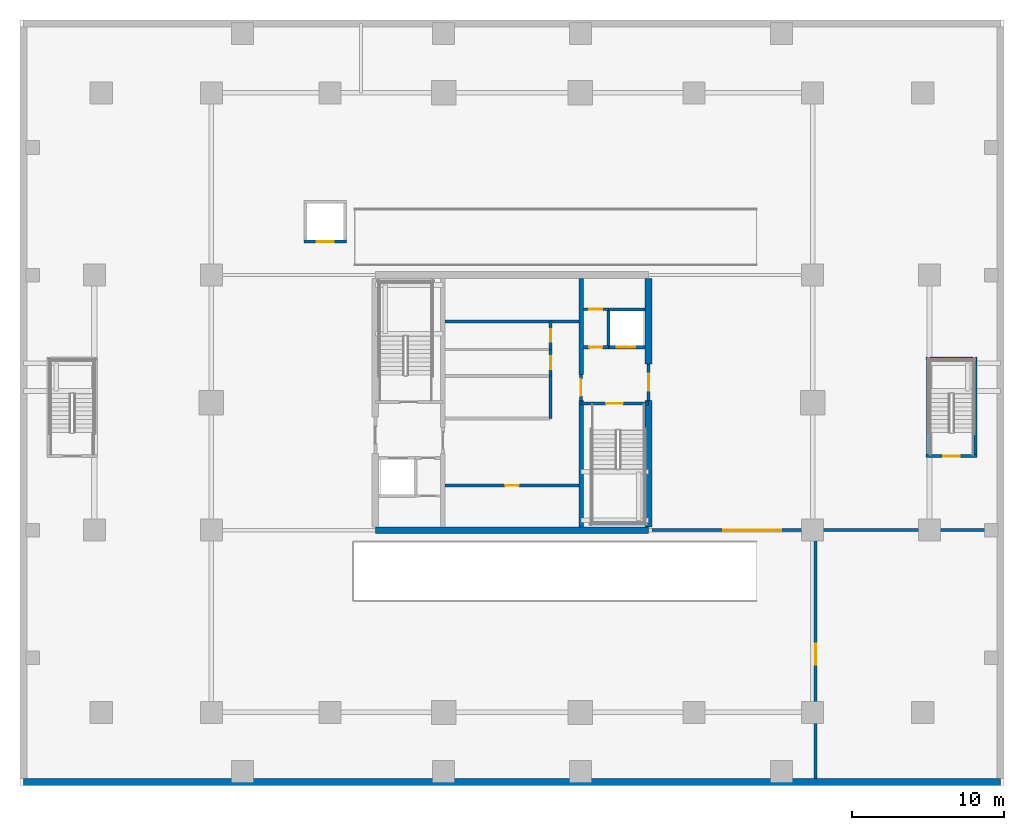
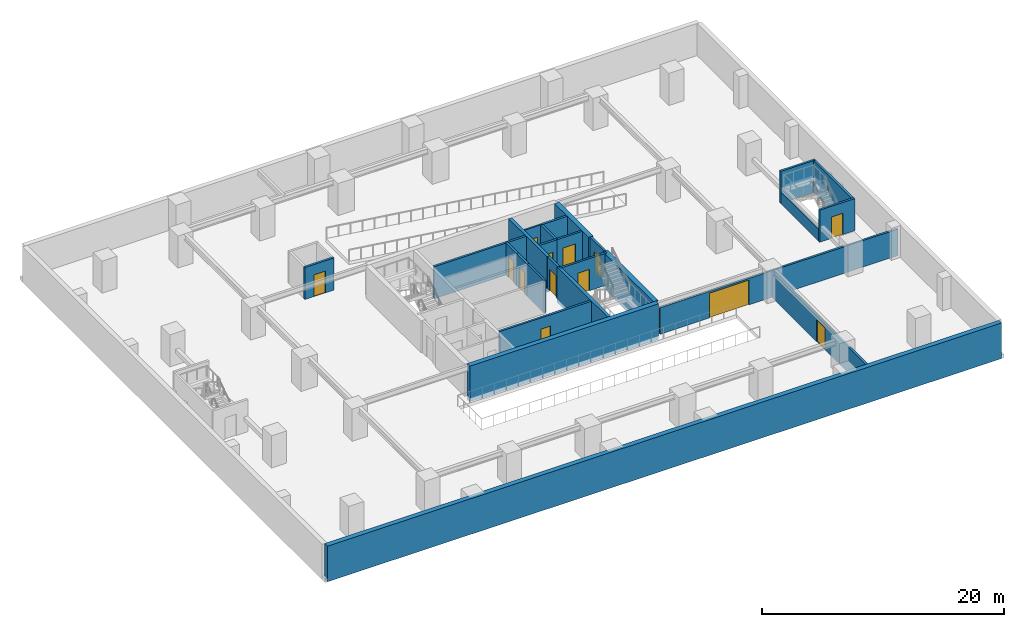
# One storey, part 3 of 10: 26 walls, 13 doors, 13 openings.
"""IFC4 building model written with IfcOpenShell, lengths in metres."""

from ifc_helpers import new_model, si_unit, direction, frame, frame_2d, origin, place, context, subcontext, project, spatial, rectangle, extrude, source, transform, mapped, material, layer, layer_set, type_object, element, fill, save


model = new_model("IFC4")

# Units and contexts
model_context = context("Model", 3, precision=1e-05, world=origin(), true_north=direction((0.0, 1.0)))
body_context = subcontext(model_context, "Body", "Model", "MODEL_VIEW")
ifc_project = project(units=[si_unit("LENGTHUNIT", "METRE"), si_unit("AREAUNIT", "SQUARE_METRE"), si_unit("VOLUMEUNIT", "CUBIC_METRE"), si_unit("PLANEANGLEUNIT", "RADIAN"), si_unit("MASSUNIT", "GRAM", prefix="KILO")], contexts=[model_context])

# Site, building, storey
site_placement = place(None, origin())
site = spatial("IfcSite", under=ifc_project, at=site_placement, CompositionType="ELEMENT")
building_placement = place(site_placement, origin())
building = spatial("IfcBuilding", under=site, at=building_placement, Name="Serunith Strait Residences", CompositionType="ELEMENT")
storey_placement = place(building_placement, frame((0.0, 0.0, -7.199951171875)))
storey = spatial("IfcBuildingStorey", under=building, at=storey_placement, Name="B02", CompositionType="ELEMENT", Elevation=-7.199951171875)

# Wall, opening, door
ifc_material_1 = material(Name="Fire-rated masonry service closet wall", Category="masonry")
ifc_layer_1 = layer(ifc_material_1, 0.14990234375, Name="Fire-rated masonry service closet wall")
ifc_layer_set_1 = layer_set([ifc_layer_1], Name="Fire-rated masonry service closet wall")
wall_type_1 = type_object("IfcWallType", Name="IW-BOH-150", PredefinedType="PARTITIONING", material=ifc_layer_set_1)
wall_1_placement = place(storey_placement, frame((37.10009765625, 31.35009765625, 0.0), z_axis=(0.0, 0.0, 1.0), x_axis=(1.0, 0.0, 0.0)))
wall_1 = element("IfcWall", 1, at=wall_1_placement, inside=storey, type_object=wall_type_1, Name="B02 Partition Wall 017", PredefinedType="PARTITIONING", context=body_context, shape_type="SweptSolid", body=[
    extrude(rectangle(XDim=1.64794921875, YDim=0.14990234375, at=frame_2d((0.823974609375, 0.0))), origin(), (0.0, 0.0, 1.0), 3.239990234375),
])
opening_1_placement = place(wall_1_placement, frame((0.39892578125, 0.0, 0.0)))
opening_1 = element("IfcOpeningElement", 2, at=opening_1_placement, cuts=wall_1, Name="Opening FD-850", PredefinedType="OPENING", context=body_context, shape_type="SweptSolid", body=[
    extrude(rectangle(XDim=0.85009765625, YDim=2.10009765625, at=frame_2d((0.425048828125, 1.050048828125))), frame((0.0, 0.0849609375, 0.0), z_axis=(0.0, -1.0, 0.0), x_axis=(1.0, 0.0, 0.0)), (0.0, 0.0, 1.0), 0.169921875),
])
ifc_material_2 = material(Name="Powder-coated steel service closet door", Category="steel")
door_type_1 = type_object("IfcDoorType", Name="FD-BOH-850", OperationType="NOTDEFINED", PredefinedType="DOOR", material=ifc_material_2)
shared_shape_1 = source(origin(), body_context, "Body", "SweptSolid", [
    extrude(rectangle(XDim=0.85009765625, YDim=2.10009765625, at=frame_2d((0.425048828125, 1.050048828125))), frame((0.0, 0.02490234375, 0.0), z_axis=(0.0, -1.0, 0.0), x_axis=(1.0, 0.0, 0.0)), (0.0, 0.0, 1.0), 0.050048828125),
])
door_1_placement = place(opening_1_placement, origin())
door_1 = element("IfcDoor", 3, at=door_1_placement, inside=storey, type_object=door_type_1, Name="B02 Refuse Store Door", OperationType="SINGLE_SWING_RIGHT", OverallHeight=2.10009765625, OverallWidth=0.85009765625, PredefinedType="DOOR", context=body_context, shape_type="MappedRepresentation", body=[
    mapped(shared_shape_1, transform((0.0, 0.0, 0.0), scale=1.0)),
])
fill(opening_1, door_1)

ifc_material_3 = material(Name="Acoustic concrete block plant wall", Category="concrete")
ifc_layer_2 = layer(ifc_material_3, 0.199951171875, Name="Acoustic concrete block plant wall")
ifc_layer_set_2 = layer_set([ifc_layer_2], Name="Acoustic concrete block plant wall")
wall_type_2 = type_object("IfcWallType", Name="IW-PLANT-200", PredefinedType="STANDARD", material=ifc_layer_set_2)
wall_2_placement = place(storey_placement, frame((52.39990234375, 0.449951171875, 0.0), z_axis=(0.0, 0.0, 1.0), x_axis=(0.0, 1.0, 0.0)))
wall_2 = element("IfcWall", 4, at=wall_2_placement, inside=storey, type_object=wall_type_2, Name="B02 Partition Wall 021", PredefinedType="STANDARD", context=body_context, shape_type="SweptSolid", body=[
    extrude(rectangle(XDim=16.35009765625, YDim=0.199951171875, at=frame_2d((8.175048828125, 0.0))), origin(), (0.0, 0.0, 1.0), 2.6220703125),
])
opening_2_placement = place(wall_2_placement, frame((7.47509765625, 0.0, 0.0)))
opening_2 = element("IfcOpeningElement", 5, at=opening_2_placement, cuts=wall_2, Name="Opening FD-1400", PredefinedType="OPENING", context=body_context, shape_type="SweptSolid", body=[
    extrude(rectangle(XDim=1.39990234375, YDim=2.199951171875, at=frame_2d((0.699951171875, 1.10009765625))), frame((0.0, 0.10986328125, 0.0), z_axis=(0.0, -1.0, 0.0), x_axis=(1.0, 0.0, 0.0)), (0.0, 0.0, 1.0), 0.219970703125),
])
ifc_material_4 = material(Name="Acoustic double-skin steel plant door", Category="steel")
door_type_2 = type_object("IfcDoorType", Name="FD-PLANT-1400", OperationType="DOUBLE_DOOR_SINGLE_SWING", PredefinedType="DOOR", material=ifc_material_4)
shared_shape_2 = source(origin(), body_context, "Body", "SweptSolid", [
    extrude(rectangle(XDim=1.39990234375, YDim=2.199951171875, at=frame_2d((0.699951171875, 1.10009765625))), frame((0.0, 0.02490234375, 0.0), z_axis=(0.0, -1.0, 0.0), x_axis=(1.0, 0.0, 0.0)), (0.0, 0.0, 1.0), 0.050048828125),
])
door_2_placement = place(opening_2_placement, origin())
door_2 = element("IfcDoor", 6, at=door_2_placement, inside=storey, type_object=door_type_2, Name="B02 Basement Plant Fire Door", OperationType="DOUBLE_DOOR_SINGLE_SWING", OverallHeight=2.199951171875, OverallWidth=1.39990234375, PredefinedType="DOOR", context=body_context, shape_type="MappedRepresentation", body=[
    mapped(shared_shape_2, transform((0.0, 0.0, 0.0), scale=1.0)),
])
fill(opening_2, door_2)

wall_3_placement = place(storey_placement, frame((41.625, 16.800048828125, 0.0), z_axis=(0.0, 0.0, 1.0), x_axis=(1.0, 0.0, 0.0)))
wall_3 = element("IfcWall", 7, at=wall_3_placement, inside=storey, type_object=wall_type_2, Name="B02 Partition Wall 022", PredefinedType="STANDARD", context=body_context, shape_type="SweptSolid", body=[
    extrude(rectangle(XDim=22.72509765625, YDim=0.199951171875, at=frame_2d((11.362548828125, 0.0))), origin(), (0.0, 0.0, 1.0), 2.671875),
])
opening_3_placement = place(wall_3_placement, frame((4.697021484375, 0.0, 0.0)))
opening_3 = element("IfcOpeningElement", 8, at=opening_3_placement, cuts=wall_3, Name="Opening GT-3800", PredefinedType="OPENING", context=body_context, shape_type="SweptSolid", body=[
    extrude(rectangle(XDim=3.800048828125, YDim=2.5, at=frame_2d((1.89990234375, 1.25))), frame((0.0, 0.10986328125, 0.0), z_axis=(0.0, -1.0, 0.0), x_axis=(1.0, 0.0, 0.0)), (0.0, 0.0, 1.0), 0.219970703125),
])
ifc_material_5 = material(Name="Perforated galvanised steel roller shutter", Category="steel")
door_type_3 = type_object("IfcDoorType", Name="GATE-BSMT-3800", OperationType="ROLLINGUP", PredefinedType="GATE", material=ifc_material_5)
shared_shape_3 = source(origin(), body_context, "Body", "SweptSolid", [
    extrude(rectangle(XDim=3.800048828125, YDim=2.5, at=frame_2d((1.89990234375, 1.25))), frame((0.0, 0.02490234375, 0.0), z_axis=(0.0, -1.0, 0.0), x_axis=(1.0, 0.0, 0.0)), (0.0, 0.0, 1.0), 0.050048828125),
])
door_3_placement = place(opening_3_placement, origin())
door_3 = element("IfcDoor", 9, at=door_3_placement, inside=storey, type_object=door_type_3, Name="B02 Car-Park Compartment Roller Gate", OperationType="ROLLINGUP", OverallHeight=2.5, OverallWidth=3.800048828125, PredefinedType="GATE", context=body_context, shape_type="MappedRepresentation", body=[
    mapped(shared_shape_3, transform((0.0, 0.0, 0.0), scale=1.0)),
])
fill(opening_3, door_3)

ifc_material_6 = material(Name="Autoclaved aerated concrete blockwork", Category="masonry")
ifc_layer_3 = layer(ifc_material_6, 0.199951171875, Name="Autoclaved aerated concrete blockwork")
ifc_layer_set_3 = layer_set([ifc_layer_3], Name="Autoclaved aerated concrete blockwork")
wall_type_3 = type_object("IfcWallType", Name="IW-SHAFT-200", PredefinedType="STANDARD", material=ifc_layer_set_3)
wall_4_placement = place(storey_placement, frame((36.949951171875, 25.14990234375, 0.0), z_axis=(0.0, 0.0, 1.0), x_axis=(1.0, 0.0, 0.0)))
wall_4 = element("IfcWall", 10, at=wall_4_placement, inside=storey, type_object=wall_type_3, Name="B02 ST-2 North Shaft Wall", PredefinedType="STANDARD", context=body_context, shape_type="SweptSolid", body=[
    extrude(rectangle(XDim=4.449951171875, YDim=0.199951171875, at=frame_2d((2.22509765625, 0.0))), origin(), (0.0, 0.0, 1.0), 3.239990234375),
])
opening_4_placement = place(wall_4_placement, frame((1.64990234375, 0.0, 0.0)))
opening_4 = element("IfcOpeningElement", 11, at=opening_4_placement, cuts=wall_4, Name="Opening FD-1100", PredefinedType="OPENING", context=body_context, shape_type="SweptSolid", body=[
    extrude(rectangle(XDim=1.10009765625, YDim=2.14990234375, at=frame_2d((0.550048828125, 1.074951171875))), frame((0.0, 0.10986328125, 0.0), z_axis=(0.0, -1.0, 0.0), x_axis=(1.0, 0.0, 0.0)), (0.0, 0.0, 1.0), 0.219970703125),
])
ifc_material_7 = material(Name="Galvanised steel fire door leaf", Category="steel")
door_type_4 = type_object("IfcDoorType", Name="FD-STAIR-1100", OperationType="NOTDEFINED", PredefinedType="DOOR", material=ifc_material_7)
shared_shape_4 = source(origin(), body_context, "Body", "SweptSolid", [
    extrude(rectangle(XDim=1.10009765625, YDim=2.14990234375, at=frame_2d((0.550048828125, 1.074951171875))), frame((0.0, 0.02490234375, 0.0), z_axis=(0.0, -1.0, 0.0), x_axis=(1.0, 0.0, 0.0)), (0.0, 0.0, 1.0), 0.050048828125),
])
door_4_placement = place(opening_4_placement, origin())
door_4 = element("IfcDoor", 12, at=door_4_placement, inside=storey, type_object=door_type_4, Name="B02 ST-2 Escape Stair Door", OperationType="SINGLE_SWING_LEFT", OverallHeight=2.14990234375, OverallWidth=1.10009765625, PredefinedType="DOOR", context=body_context, shape_type="MappedRepresentation", body=[
    mapped(shared_shape_4, transform((0.0, 0.0, 0.0), scale=1.0)),
])
fill(opening_4, door_4)

wall_5_placement = place(storey_placement, frame((59.679931640625, 21.679931640625, 0.0), z_axis=(0.0, 0.0, 1.0), x_axis=(1.0, 0.0, 0.0)))
wall_5 = element("IfcWall", 13, at=wall_5_placement, inside=storey, type_object=wall_type_3, Name="B02 ST-6 South Shaft Wall", PredefinedType="STANDARD", context=body_context, shape_type="SweptSolid", body=[
    extrude(rectangle(XDim=3.340087890625, YDim=0.199951171875, at=frame_2d((1.669921875, 0.0))), origin(), (0.0, 0.0, 1.0), 3.239990234375),
])
opening_5_placement = place(wall_5_placement, frame((1.1201171875, 0.0, 0.0)))
opening_5 = element("IfcOpeningElement", 14, at=opening_5_placement, cuts=wall_5, Name="Opening FD-1100", PredefinedType="OPENING", context=body_context, shape_type="SweptSolid", body=[
    extrude(rectangle(XDim=1.10009765625, YDim=2.14990234375, at=frame_2d((0.550048828125, 1.074951171875))), frame((0.0, 0.10986328125, 0.0), z_axis=(0.0, -1.0, 0.0), x_axis=(1.0, 0.0, 0.0)), (0.0, 0.0, 1.0), 0.219970703125),
])
door_5_placement = place(opening_5_placement, origin())
door_5 = element("IfcDoor", 15, at=door_5_placement, inside=storey, type_object=door_type_4, Name="B02 ST-6 Escape Stair Door", OperationType="SINGLE_SWING_RIGHT", OverallHeight=2.14990234375, OverallWidth=1.10009765625, PredefinedType="DOOR", context=body_context, shape_type="MappedRepresentation", body=[
    mapped(shared_shape_4, transform((0.0, 0.0, 0.0), scale=1.0)),
])
fill(opening_5, door_5)

# Walls
wall_6_placement = place(storey_placement, frame((59.679931640625, 28.1201171875, 0.0), z_axis=(0.0, 0.0, 1.0), x_axis=(1.0, 0.0, 0.0)))
element("IfcWall", 16, at=wall_6_placement, inside=storey, type_object=wall_type_3, Name="B02 ST-6 North Shaft Wall", PredefinedType="STANDARD", context=body_context, shape_type="SweptSolid", body=[
    extrude(rectangle(XDim=3.340087890625, YDim=0.199951171875, at=frame_2d((1.669921875, 0.0))), origin(), (0.0, 0.0, 1.0), 3.239990234375),
])
wall_7_placement = place(storey_placement, frame((59.780029296875, 21.780029296875, 0.0), z_axis=(0.0, 0.0, 1.0), x_axis=(0.0, 1.0, 0.0)))
element("IfcWall", 17, at=wall_7_placement, inside=storey, type_object=wall_type_3, Name="B02 ST-6 West Shaft Wall", PredefinedType="STANDARD", context=body_context, shape_type="SweptSolid", body=[
    extrude(rectangle(XDim=6.239990234375, YDim=0.199951171875, at=frame_2d((3.1201171875, 0.0))), origin(), (0.0, 0.0, 1.0), 1.18505859375),
])
wall_8_placement = place(storey_placement, frame((62.919921875, 21.780029296875, 0.0), z_axis=(0.0, 0.0, 1.0), x_axis=(0.0, 1.0, 0.0)))
element("IfcWall", 18, at=wall_8_placement, inside=storey, type_object=wall_type_3, Name="B02 ST-6 East Shaft Wall", PredefinedType="STANDARD", context=body_context, shape_type="SweptSolid", body=[
    extrude(rectangle(XDim=6.239990234375, YDim=0.199951171875, at=frame_2d((3.1201171875, 0.0))), origin(), (0.0, 0.0, 1.0), 3.239990234375),
])

# Wall, opening, door
wall_9_placement = place(storey_placement, frame((38.75, 28.85009765625, 0.0), z_axis=(0.0, 0.0, 1.0), x_axis=(1.0, 0.0, 0.0)))
wall_9 = element("IfcWall", 19, at=wall_9_placement, inside=storey, type_object=wall_type_3, Name="B02 FL-2 South Shaft Wall", PredefinedType="STANDARD", context=body_context, shape_type="SweptSolid", body=[
    extrude(rectangle(XDim=2.425048828125, YDim=0.199951171875, at=frame_2d((1.21240234375, 0.0))), origin(), (0.0, 0.0, 1.0), 3.239990234375),
])
opening_6_placement = place(wall_9_placement, frame((0.550048828125, 0.0, 0.0)))
opening_6 = element("IfcOpeningElement", 20, at=opening_6_placement, cuts=wall_9, Name="Opening LD-FF1200", PredefinedType="OPENING", context=body_context, shape_type="SweptSolid", body=[
    extrude(rectangle(XDim=1.199951171875, YDim=2.199951171875, at=frame_2d((0.60009765625, 1.10009765625))), frame((0.0, 0.10986328125, 0.0), z_axis=(0.0, -1.0, 0.0), x_axis=(1.0, 0.0, 0.0)), (0.0, 0.0, 1.0), 0.219970703125),
])
ifc_material_8 = material(Name="Brushed stainless steel landing door", Category="steel")
door_type_5 = type_object("IfcDoorType", Name="LD-FF-1200", OperationType="DOUBLE_DOOR_SLIDING", PredefinedType="DOOR", material=ifc_material_8)
shared_shape_5 = source(origin(), body_context, "Body", "SweptSolid", [
    extrude(rectangle(XDim=1.199951171875, YDim=2.199951171875, at=frame_2d((0.60009765625, 1.10009765625))), frame((0.0, 0.02490234375, 0.0), z_axis=(0.0, -1.0, 0.0), x_axis=(1.0, 0.0, 0.0)), (0.0, 0.0, 1.0), 0.050048828125),
])
door_6_placement = place(opening_6_placement, origin())
door_6 = element("IfcDoor", 21, at=door_6_placement, inside=storey, type_object=door_type_5, Name="B02 FL-2 Landing Door", OperationType="DOUBLE_DOOR_SLIDING", OverallHeight=2.199951171875, OverallWidth=1.199951171875, PredefinedType="DOOR", context=body_context, shape_type="MappedRepresentation", body=[
    mapped(shared_shape_5, transform((0.0, 0.0, 0.0), scale=1.0)),
])
fill(opening_6, door_6)

wall_10_placement = place(storey_placement, frame((18.699951171875, 35.800048828125, 0.0), z_axis=(0.0, 0.0, 1.0), x_axis=(1.0, 0.0, 0.0)))
wall_10 = element("IfcWall", 22, at=wall_10_placement, inside=storey, type_object=wall_type_3, Name="B02 SV-1 South Shaft Wall", PredefinedType="STANDARD", context=body_context, shape_type="SweptSolid", body=[
    extrude(rectangle(XDim=2.800048828125, YDim=0.199951171875, at=frame_2d((1.39990234375, 0.0))), origin(), (0.0, 0.0, 1.0), 3.239990234375),
])
opening_7_placement = place(wall_10_placement, frame((0.85009765625, 0.0, 0.0)))
opening_7 = element("IfcOpeningElement", 23, at=opening_7_placement, cuts=wall_10, Name="Opening LD-1100", PredefinedType="OPENING", context=body_context, shape_type="SweptSolid", body=[
    extrude(rectangle(XDim=1.10009765625, YDim=2.199951171875, at=frame_2d((0.550048828125, 1.10009765625))), frame((0.0, 0.10986328125, 0.0), z_axis=(0.0, -1.0, 0.0), x_axis=(1.0, 0.0, 0.0)), (0.0, 0.0, 1.0), 0.219970703125),
])
ifc_material_9 = material(Name="Pale-champagne stainless landing door")
door_type_6 = type_object("IfcDoorType", Name="LD-LIFT-1100", OperationType="DOUBLE_DOOR_SLIDING", PredefinedType="DOOR", material=ifc_material_9)
shared_shape_6 = source(origin(), body_context, "Body", "SweptSolid", [
    extrude(rectangle(XDim=1.10009765625, YDim=2.199951171875, at=frame_2d((0.550048828125, 1.10009765625))), frame((0.0, 0.02490234375, 0.0), z_axis=(0.0, -1.0, 0.0), x_axis=(1.0, 0.0, 0.0)), (0.0, 0.0, 1.0), 0.050048828125),
])
door_7_placement = place(opening_7_placement, origin())
door_7 = element("IfcDoor", 24, at=door_7_placement, inside=storey, type_object=door_type_6, Name="B02 SV-1 Landing Door", OperationType="DOUBLE_DOOR_SLIDING", OverallHeight=2.199951171875, OverallWidth=1.10009765625, PredefinedType="DOOR", context=body_context, shape_type="MappedRepresentation", body=[
    mapped(shared_shape_6, transform((0.0, 0.0, 0.0), scale=1.0)),
])
fill(opening_7, door_7)

# Walls
wall_11_placement = place(storey_placement, frame((38.75, 28.85009765625, 0.0), z_axis=(0.0, 0.0, 1.0), x_axis=(0.0, 1.0, 0.0)))
element("IfcWall", 25, at=wall_11_placement, inside=storey, type_object=wall_type_3, Name="B02 Partition Wall 004", PredefinedType="STANDARD", context=body_context, shape_type="SweptSolid", body=[
    extrude(rectangle(XDim=2.5, YDim=0.199951171875, at=frame_2d((1.25, 0.0))), origin(), (0.0, 0.0, 1.0), 3.239990234375),
])
wall_12_placement = place(storey_placement, frame((38.75, 31.35009765625, 0.0), z_axis=(0.0, 0.0, 1.0), x_axis=(1.0, 0.0, 0.0)))
element("IfcWall", 26, at=wall_12_placement, inside=storey, type_object=wall_type_3, Name="B02 Partition Wall 005", PredefinedType="STANDARD", context=body_context, shape_type="SweptSolid", body=[
    extrude(rectangle(XDim=2.425048828125, YDim=0.199951171875, at=frame_2d((1.21240234375, 0.0))), origin(), (0.0, 0.0, 1.0), 3.239990234375),
])

# Wall, opening, door
wall_13_placement = place(storey_placement, frame((37.10009765625, 28.85009765625, 0.0), z_axis=(0.0, 0.0, 1.0), x_axis=(1.0, 0.0, 0.0)))
wall_13 = element("IfcWall", 27, at=wall_13_placement, inside=storey, type_object=wall_type_3, Name="B02 Partition Wall 006", PredefinedType="STANDARD", context=body_context, shape_type="SweptSolid", body=[
    extrude(rectangle(XDim=1.64794921875, YDim=0.199951171875, at=frame_2d((0.823974609375, 0.0))), origin(), (0.0, 0.0, 1.0), 3.239990234375),
])
opening_8_placement = place(wall_13_placement, frame((0.39892578125, 0.0, 0.0)))
opening_8 = element("IfcOpeningElement", 28, at=opening_8_placement, cuts=wall_13, Name="Opening FD-850", PredefinedType="OPENING", context=body_context, shape_type="SweptSolid", body=[
    extrude(rectangle(XDim=0.85009765625, YDim=2.10009765625, at=frame_2d((0.425048828125, 1.050048828125))), frame((0.0, 0.10986328125, 0.0), z_axis=(0.0, -1.0, 0.0), x_axis=(1.0, 0.0, 0.0)), (0.0, 0.0, 1.0), 0.219970703125),
])
door_8_placement = place(opening_8_placement, origin())
door_8 = element("IfcDoor", 29, at=door_8_placement, inside=storey, type_object=door_type_1, Name="B02 North-East Core Service Door", OperationType="SINGLE_SWING_LEFT", OverallHeight=2.10009765625, OverallWidth=0.85009765625, PredefinedType="DOOR", context=body_context, shape_type="MappedRepresentation", body=[
    mapped(shared_shape_1, transform((0.0, 0.0, 0.0), scale=1.0)),
])
fill(opening_8, door_8)

wall_14_placement = place(storey_placement, frame((41.39990234375, 25.35205078125, 0.0), z_axis=(0.0, 0.0, 1.0), x_axis=(0.0, 1.0, 0.0)))
wall_14 = element("IfcWall", 30, at=wall_14_placement, inside=storey, type_object=wall_type_3, Name="B02 Partition Wall 008", PredefinedType="STANDARD", context=body_context, shape_type="SweptSolid", body=[
    extrude(rectangle(XDim=2.39599609375, YDim=0.199951171875, at=frame_2d((1.197998046875, 0.0))), origin(), (0.0, 0.0, 1.0), 3.239990234375),
])
opening_9_placement = place(wall_14_placement, frame((0.64794921875, 0.0, 0.0)))
opening_9 = element("IfcOpeningElement", 31, at=opening_9_placement, cuts=wall_14, Name="Opening FD-FFL", PredefinedType="OPENING", context=body_context, shape_type="SweptSolid", body=[
    extrude(rectangle(XDim=1.10009765625, YDim=2.14990234375, at=frame_2d((0.550048828125, 1.074951171875))), frame((0.0, 0.10986328125, 0.0), z_axis=(0.0, -1.0, 0.0), x_axis=(1.0, 0.0, 0.0)), (0.0, 0.0, 1.0), 0.219970703125),
])
ifc_material_10 = material(Name="Glazed steel smoke-lobby fire door", Category="steel")
door_type_7 = type_object("IfcDoorType", Name="FD-FFL-1100", OperationType="NOTDEFINED", PredefinedType="DOOR", material=ifc_material_10)
door_9_placement = place(opening_9_placement, origin())
door_9 = element("IfcDoor", 32, at=door_9_placement, inside=storey, type_object=door_type_7, Name="B02 FFL-2 Corridor Fire Door", OperationType="SINGLE_SWING_LEFT", OverallHeight=2.14990234375, OverallWidth=1.10009765625, PredefinedType="DOOR", context=body_context, shape_type="MappedRepresentation", body=[
    mapped(shared_shape_4, transform((0.0, 0.0, 0.0), scale=1.0)),
])
fill(opening_9, door_9)

wall_15_placement = place(storey_placement, frame((36.949951171875, 25.35205078125, 0.0), z_axis=(0.0, 0.0, 1.0), x_axis=(0.0, 1.0, 0.0)))
wall_15 = element("IfcWall", 33, at=wall_15_placement, inside=storey, type_object=wall_type_3, Name="B02 Partition Wall 010", PredefinedType="STANDARD", context=body_context, shape_type="SweptSolid", body=[
    extrude(rectangle(XDim=1.696044921875, YDim=0.199951171875, at=frame_2d((0.84814453125, 0.0))), origin(), (0.0, 0.0, 1.0), 3.239990234375),
])
opening_10_placement = place(wall_15_placement, frame((0.298095703125, 0.0, 0.0)))
opening_10 = element("IfcOpeningElement", 34, at=opening_10_placement, cuts=wall_15, Name="Opening FD-FFL", PredefinedType="OPENING", context=body_context, shape_type="SweptSolid", body=[
    extrude(rectangle(XDim=1.10009765625, YDim=2.14990234375, at=frame_2d((0.550048828125, 1.074951171875))), frame((0.0, 0.10986328125, 0.0), z_axis=(0.0, -1.0, 0.0), x_axis=(1.0, 0.0, 0.0)), (0.0, 0.0, 1.0), 0.219970703125),
])
door_10_placement = place(opening_10_placement, origin())
door_10 = element("IfcDoor", 35, at=door_10_placement, inside=storey, type_object=door_type_7, Name="B02 FFL-2 Lift Lobby Door", OperationType="SINGLE_SWING_LEFT", OverallHeight=2.14990234375, OverallWidth=1.10009765625, PredefinedType="DOOR", context=body_context, shape_type="MappedRepresentation", body=[
    mapped(shared_shape_4, transform((0.0, 0.0, 0.0), scale=1.0)),
])
fill(opening_10, door_10)

# Wall
wall_16_placement = place(storey_placement, frame((28.0, 30.550048828125, 0.0), z_axis=(0.0, 0.0, 1.0), x_axis=(1.0, 0.0, 0.0)))
element("IfcWall", 36, at=wall_16_placement, inside=storey, type_object=wall_type_3, Name="B02 Partition Wall 011", PredefinedType="STANDARD", context=body_context, shape_type="SweptSolid", body=[
    extrude(rectangle(XDim=8.800048828125, YDim=0.199951171875, at=frame_2d((4.39990234375, 0.0))), origin(), (0.0, 0.0, 1.0), 3.239990234375),
])

# Wall, opening, door
wall_17_placement = place(storey_placement, frame((28.0, 19.75, 0.0), z_axis=(0.0, 0.0, 1.0), x_axis=(1.0, 0.0, 0.0)))
wall_17 = element("IfcWall", 37, at=wall_17_placement, inside=storey, type_object=wall_type_3, Name="B02 Partition Wall 012", PredefinedType="STANDARD", context=body_context, shape_type="SweptSolid", body=[
    extrude(rectangle(XDim=8.800048828125, YDim=0.199951171875, at=frame_2d((4.39990234375, 0.0))), origin(), (0.0, 0.0, 1.0), 3.239990234375),
])
opening_11_placement = place(wall_17_placement, frame((3.949951171875, 0.0, 0.0)))
opening_11 = element("IfcOpeningElement", 38, at=opening_11_placement, cuts=wall_17, Name="Opening FD-900", PredefinedType="OPENING", context=body_context, shape_type="SweptSolid", body=[
    extrude(rectangle(XDim=0.89990234375, YDim=2.10009765625, at=frame_2d((0.449951171875, 1.050048828125))), frame((0.0, 0.10986328125, 0.0), z_axis=(0.0, -1.0, 0.0), x_axis=(1.0, 0.0, 0.0)), (0.0, 0.0, 1.0), 0.219970703125),
])
ifc_material_11 = material(Name="Powder-coated steel riser door", Category="steel")
door_type_8 = type_object("IfcDoorType", Name="FD-BOH-900", OperationType="NOTDEFINED", PredefinedType="DOOR", material=ifc_material_11)
shared_shape_7 = source(origin(), body_context, "Body", "SweptSolid", [
    extrude(rectangle(XDim=0.89990234375, YDim=2.10009765625, at=frame_2d((0.449951171875, 1.050048828125))), frame((0.0, 0.02490234375, 0.0), z_axis=(0.0, -1.0, 0.0), x_axis=(1.0, 0.0, 0.0)), (0.0, 0.0, 1.0), 0.050048828125),
])
door_11_placement = place(opening_11_placement, origin())
door_11 = element("IfcDoor", 39, at=door_11_placement, inside=storey, type_object=door_type_8, Name="B02 Basement Core Sump Door", OperationType="SINGLE_SWING_RIGHT", OverallHeight=2.10009765625, OverallWidth=0.89990234375, PredefinedType="DOOR", context=body_context, shape_type="MappedRepresentation", body=[
    mapped(shared_shape_7, transform((0.0, 0.0, 0.0), scale=1.0)),
])
fill(opening_11, door_11)

# Wall
wall_18_placement = place(storey_placement, frame((34.949951171875, 24.14990234375, 0.0), z_axis=(0.0, 0.0, 1.0), x_axis=(0.0, 1.0, 0.0)))
element("IfcWall", 40, at=wall_18_placement, inside=storey, type_object=wall_type_3, Name="B02 Partition Wall 015", PredefinedType="STANDARD", context=body_context, shape_type="SweptSolid", body=[
    extrude(rectangle(XDim=2.800048828125, YDim=0.199951171875, at=frame_2d((1.39990234375, 0.0))), origin(), (0.0, 0.0, 1.0), 3.239990234375),
])

# Wall, opening, door
wall_19_placement = place(storey_placement, frame((34.949951171875, 26.951904296875, 0.0), z_axis=(0.0, 0.0, 1.0), x_axis=(0.0, 1.0, 0.0)))
wall_19 = element("IfcWall", 41, at=wall_19_placement, inside=storey, type_object=wall_type_3, Name="B02 Partition Wall 018", PredefinedType="STANDARD", context=body_context, shape_type="SweptSolid", body=[
    extrude(rectangle(XDim=1.748046875, YDim=0.199951171875, at=frame_2d((0.8740234375, 0.0))), origin(), (0.0, 0.0, 1.0), 3.239990234375),
])
opening_12_placement = place(wall_19_placement, frame((0.448974609375, 0.0, 0.0)))
opening_12 = element("IfcOpeningElement", 42, at=opening_12_placement, cuts=wall_19, Name="Opening FD-850", PredefinedType="OPENING", context=body_context, shape_type="SweptSolid", body=[
    extrude(rectangle(XDim=0.85009765625, YDim=2.10009765625, at=frame_2d((0.425048828125, 1.050048828125))), frame((0.0, 0.10986328125, 0.0), z_axis=(0.0, -1.0, 0.0), x_axis=(1.0, 0.0, 0.0)), (0.0, 0.0, 1.0), 0.219970703125),
])
door_12_placement = place(opening_12_placement, origin())
door_12 = element("IfcDoor", 43, at=door_12_placement, inside=storey, type_object=door_type_1, Name="B02 Chilled Water Pump Door", OperationType="SINGLE_SWING_LEFT", OverallHeight=2.10009765625, OverallWidth=0.85009765625, PredefinedType="DOOR", context=body_context, shape_type="MappedRepresentation", body=[
    mapped(shared_shape_1, transform((0.0, 0.0, 0.0), scale=1.0)),
])
fill(opening_12, door_12)

wall_20_placement = place(storey_placement, frame((34.949951171875, 28.701904296875, 0.0), z_axis=(0.0, 0.0, 1.0), x_axis=(0.0, 1.0, 0.0)))
wall_20 = element("IfcWall", 44, at=wall_20_placement, inside=storey, type_object=wall_type_3, Name="B02 Partition Wall 019", PredefinedType="STANDARD", context=body_context, shape_type="SweptSolid", body=[
    extrude(rectangle(XDim=1.84814453125, YDim=0.199951171875, at=frame_2d((0.924072265625, 0.0))), origin(), (0.0, 0.0, 1.0), 3.239990234375),
])
opening_13_placement = place(wall_20_placement, frame((0.4990234375, 0.0, 0.0)))
opening_13 = element("IfcOpeningElement", 45, at=opening_13_placement, cuts=wall_20, Name="Opening FD-850", PredefinedType="OPENING", context=body_context, shape_type="SweptSolid", body=[
    extrude(rectangle(XDim=0.85009765625, YDim=2.10009765625, at=frame_2d((0.425048828125, 1.050048828125))), frame((0.0, 0.10986328125, 0.0), z_axis=(0.0, -1.0, 0.0), x_axis=(1.0, 0.0, 0.0)), (0.0, 0.0, 1.0), 0.219970703125),
])
door_13_placement = place(opening_13_placement, origin())
door_13 = element("IfcDoor", 46, at=door_13_placement, inside=storey, type_object=door_type_1, Name="B02 Smoke Control Fan Door", OperationType="SINGLE_SWING_RIGHT", OverallHeight=2.10009765625, OverallWidth=0.85009765625, PredefinedType="DOOR", context=body_context, shape_type="MappedRepresentation", body=[
    mapped(shared_shape_1, transform((0.0, 0.0, 0.0), scale=1.0)),
])
fill(opening_13, door_13)

# Walls
ifc_material_12 = material(Name="Concrete C50/60", Category="concrete")
ifc_layer_4 = layer(ifc_material_12, 0.449951171875, Name="Concrete C50/60")
ifc_layer_set_4 = layer_set([ifc_layer_4], Name="Concrete C50/60")
wall_type_4 = type_object("IfcWallType", Name="RW-450-C50", PredefinedType="USERDEFINED", material=ifc_layer_set_4)
wall_21_placement = place(storey_placement, frame((0.22509765625, 0.22509765625, -0.360107421875), z_axis=(0.0, 0.0, 1.0), x_axis=(1.0, 0.0, 0.0)))
element("IfcWall", 47, at=wall_21_placement, inside=storey, type_object=wall_type_4, Name="B02 South Diaphragm Wall", ObjectType="RETAININGWALL", PredefinedType="USERDEFINED", context=body_context, shape_type="SweptSolid", body=[
    extrude(rectangle(XDim=64.349853515625, YDim=0.449951171875, at=frame_2d((32.1748046875, 0.0))), origin(), (0.0, 0.0, 1.0), 3.59814453125),
])
ifc_material_13 = material(Name="Concrete C80/95", Category="concrete")
ifc_layer_5 = layer(ifc_material_13, 0.300048828125, Name="Concrete C80/95")
ifc_layer_set_5 = layer_set([ifc_layer_5], Name="Concrete C80/95")
wall_type_5 = type_object("IfcWallType", Name="SW-300-C80", PredefinedType="SHEAR", material=ifc_layer_set_5)
wall_22_placement = place(storey_placement, frame((36.949951171875, 17.02490234375, -0.360107421875), z_axis=(0.0, 0.0, 1.0), x_axis=(0.0, 1.0, 0.0)))
element("IfcWall", 48, at=wall_22_placement, inside=storey, type_object=wall_type_5, Name="B02 Core Internal East Web South Pier", PredefinedType="SHEAR", context=body_context, shape_type="SweptSolid", body=[
    extrude(rectangle(XDim=8.3251953125, YDim=0.300048828125, at=frame_2d((4.16259765625, 0.0))), origin(), (0.0, 0.0, 1.0), 3.59814453125),
])
wall_23_placement = place(storey_placement, frame((36.949951171875, 27.050048828125, -0.360107421875), z_axis=(0.0, 0.0, 1.0), x_axis=(0.0, 1.0, 0.0)))
element("IfcWall", 49, at=wall_23_placement, inside=storey, type_object=wall_type_5, Name="B02 Core Internal East Web North Pier", PredefinedType="SHEAR", context=body_context, shape_type="SweptSolid", body=[
    extrude(rectangle(XDim=6.324951171875, YDim=0.300048828125, at=frame_2d((3.16259765625, 0.0))), origin(), (0.0, 0.0, 1.0), 3.59814453125),
])
ifc_layer_6 = layer(ifc_material_13, 0.449951171875, Name="Concrete C80/95")
ifc_layer_set_6 = layer_set([ifc_layer_6], Name="Concrete C80/95")
wall_type_6 = type_object("IfcWallType", Name="SW-450-C80", PredefinedType="SHEAR", material=ifc_layer_set_6)
wall_24_placement = place(storey_placement, frame((23.39990234375, 16.800048828125, -0.360107421875), z_axis=(0.0, 0.0, 1.0), x_axis=(1.0, 0.0, 0.0)))
element("IfcWall", 50, at=wall_24_placement, inside=storey, type_object=wall_type_6, Name="B02 Core South Shear Wall", PredefinedType="SHEAR", context=body_context, shape_type="SweptSolid", body=[
    extrude(rectangle(XDim=18.0, YDim=0.449951171875, at=frame_2d((9.0, 0.0))), origin(), (0.0, 0.0, 1.0), 3.59814453125),
])
wall_25_placement = place(storey_placement, frame((41.39990234375, 17.02490234375, -0.360107421875), z_axis=(0.0, 0.0, 1.0), x_axis=(0.0, 1.0, 0.0)))
element("IfcWall", 51, at=wall_25_placement, inside=storey, type_object=wall_type_6, Name="B02 Core East Shear Wall South Pier", PredefinedType="SHEAR", context=body_context, shape_type="SweptSolid", body=[
    extrude(rectangle(XDim=8.3251953125, YDim=0.449951171875, at=frame_2d((4.16259765625, 0.0))), origin(), (0.0, 0.0, 1.0), 3.59814453125),
])
wall_26_placement = place(storey_placement, frame((41.39990234375, 27.75, -0.360107421875), z_axis=(0.0, 0.0, 1.0), x_axis=(0.0, 1.0, 0.0)))
element("IfcWall", 52, at=wall_26_placement, inside=storey, type_object=wall_type_6, Name="B02 Core East Shear Wall North Pier", PredefinedType="SHEAR", context=body_context, shape_type="SweptSolid", body=[
    extrude(rectangle(XDim=5.625, YDim=0.449951171875, at=frame_2d((2.8125, 0.0))), origin(), (0.0, 0.0, 1.0), 3.59814453125),
])

save(model, "model.ifc")
